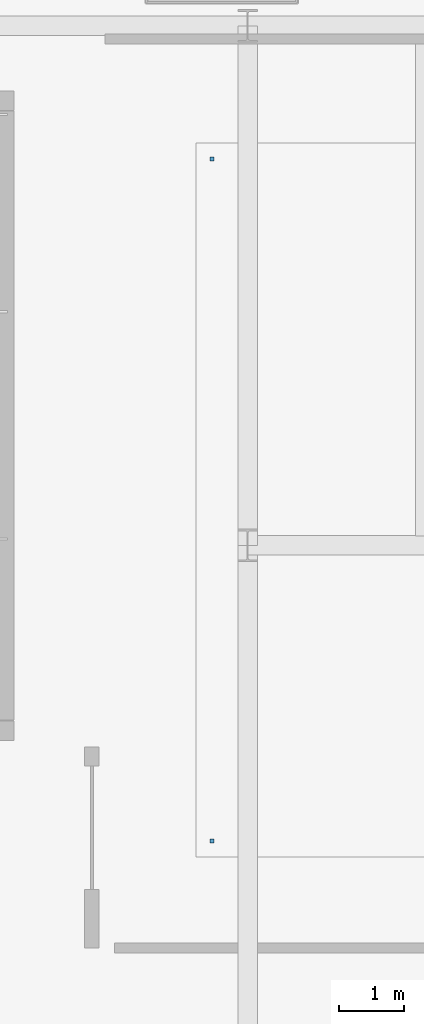
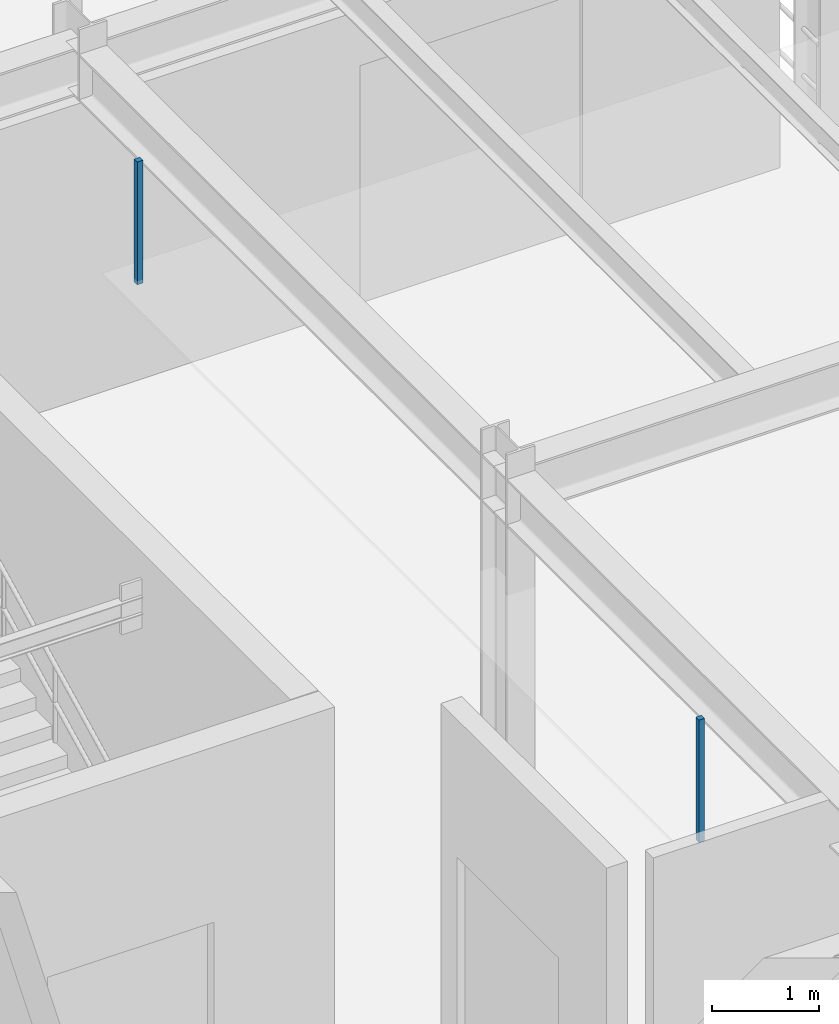
# One storey, part 94 of 122: 2 discrete accessories.
"""IFC4 building model written with IfcOpenShell, lengths in metres."""

from ifc_helpers import new_model, si_unit, direction, frame, origin, origin_2d, place, context, subcontext, project, spatial, rectangle, extrude, material, type_object, element, save


model = new_model("IFC4")

# Units and contexts
model_context = context("Model", 3, precision=1e-05, world=origin(), true_north=direction((0.0, 1.0)))
body_context = subcontext(model_context, "Body", "Model", "MODEL_VIEW")
ifc_project = project(units=[si_unit("LENGTHUNIT", "METRE"), si_unit("AREAUNIT", "SQUARE_METRE"), si_unit("VOLUMEUNIT", "CUBIC_METRE"), si_unit("PLANEANGLEUNIT", "RADIAN"), si_unit("MASSUNIT", "GRAM", prefix="KILO")], contexts=[model_context])

# Site, building, storey
site_placement = place(None, origin())
site = spatial("IfcSite", under=ifc_project, at=site_placement, CompositionType="ELEMENT")
building_placement = place(site_placement, origin())
building = spatial("IfcBuilding", under=site, at=building_placement, Name="Sundkrona Museum", CompositionType="ELEMENT")
storey_placement = place(building_placement, frame((0.0, 0.0, 5.39990234375)))
storey = spatial("IfcBuildingStorey", under=building, at=storey_placement, Name="L01", CompositionType="ELEMENT", Elevation=5.39990234375)

# Discrete accessories
ifc_material = material(Name="Stainless Steel EN 1.4404 Cleat", Category="steel")
discrete_accessory_type = type_object("IfcDiscreteAccessoryType", Name="BRK-FIN-01", PredefinedType="BRACKET", material=ifc_material)
for number, where, z_axis, x_axis, name in (
    (1, (127.449951171875, 3.449951171875, 2.550048828125), (0.0, 0.0, 1.0), (1.0, 0.0, 0.0), "L01 Mineralogy and Geology Cabinet Ceiling Hanger 1"),
    (2, (127.449951171875, 13.949951171875, 2.550048828125), (0.0, 0.0, 1.0), (1.0, 0.0, 0.0), "L01 Mineralogy and Geology Cabinet Ceiling Hanger 4"),
):
    element("IfcDiscreteAccessory", number, at=place(storey_placement, frame(where, z_axis=z_axis, x_axis=x_axis)), inside=storey, type_object=discrete_accessory_type, Name=name, PredefinedType="BRACKET", context=body_context, shape_type="SweptSolid", body=[
        extrude(rectangle(XDim=0.06005859375, YDim=0.06005859375, at=origin_2d()), origin(), (0.0, 0.0, 1.0), 1.39990234375),
    ])

save(model, "model.ifc")
